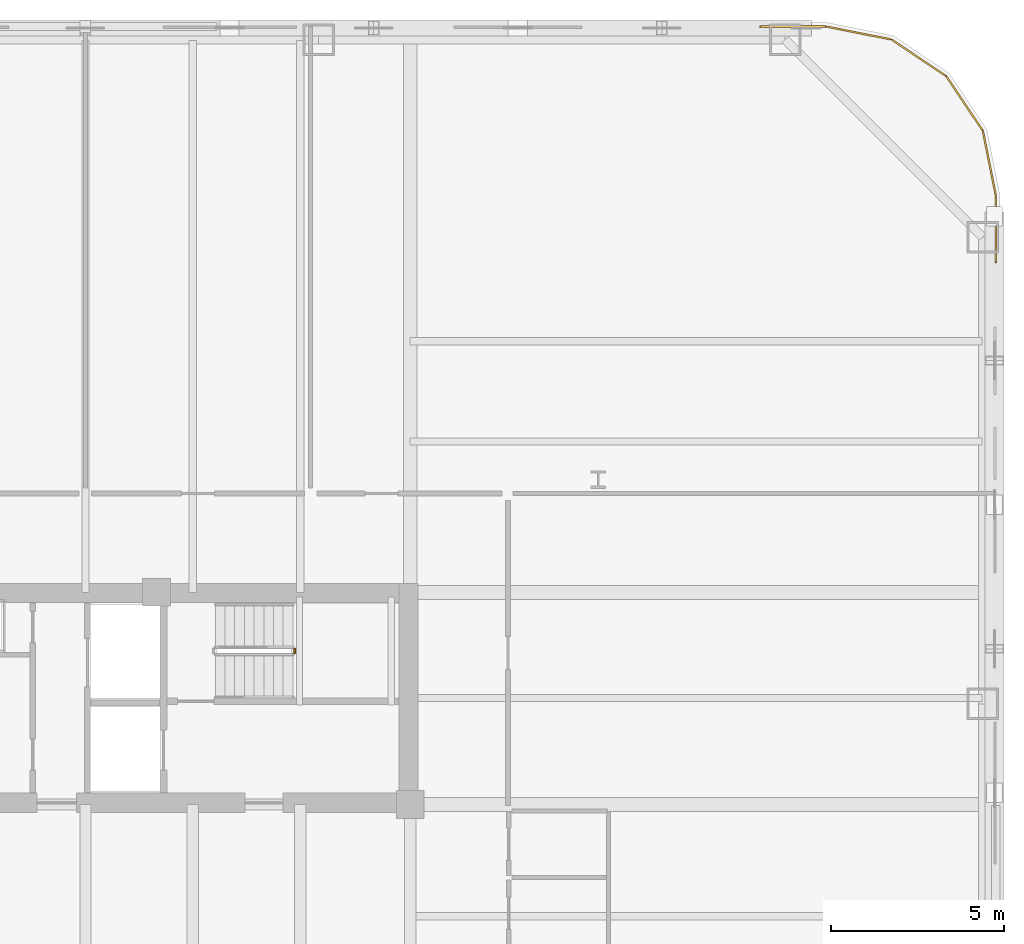
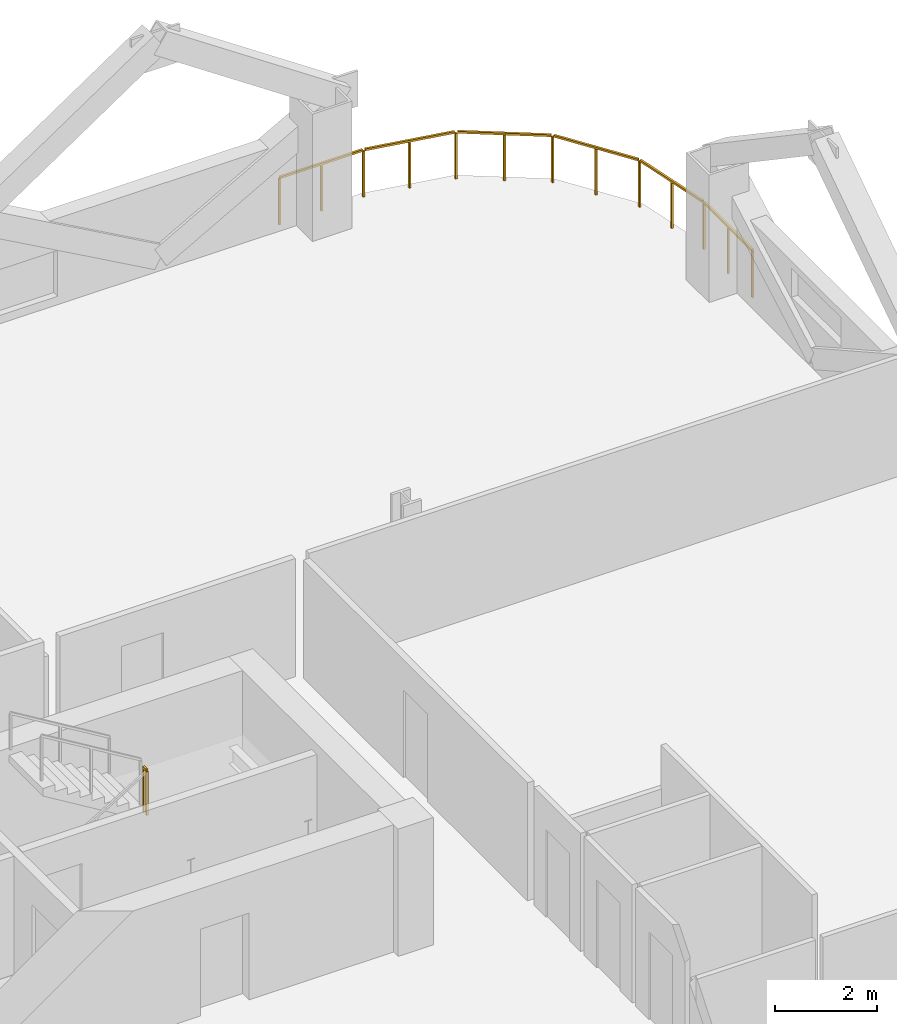
# One storey, part 13 of 13: 2 railings.
"""IFC4 building model written with IfcOpenShell, lengths in metres."""

from ifc_helpers import new_model, si_unit, direction, frame, origin, origin_2d, place, context, subcontext, project, spatial, rectangle, extrude, material, type_object, element, save


model = new_model("IFC4")

# Units and contexts
model_context = context("Model", 3, precision=1e-05, world=origin(), true_north=direction((0.0, 1.0)))
body_context = subcontext(model_context, "Body", "Model", "MODEL_VIEW")
ifc_project = project(units=[si_unit("LENGTHUNIT", "METRE"), si_unit("AREAUNIT", "SQUARE_METRE"), si_unit("VOLUMEUNIT", "CUBIC_METRE"), si_unit("PLANEANGLEUNIT", "RADIAN"), si_unit("MASSUNIT", "GRAM", prefix="KILO")], contexts=[model_context])

# Site, building, storey
site_placement = place(None, origin())
site = spatial("IfcSite", under=ifc_project, at=site_placement, CompositionType="ELEMENT")
building_placement = place(site_placement, origin())
building = spatial("IfcBuilding", under=site, at=building_placement, Name="Qhalaya Broadcast Tower", CompositionType="ELEMENT")
storey_placement = place(building_placement, frame((0.0, 0.0, 44.39990234375)))
storey = spatial("IfcBuildingStorey", under=building, at=storey_placement, Name="L12", CompositionType="ELEMENT", Elevation=44.39990234375)

# Railings
ifc_material = material(Name="Powder-Coated Galvanised Steel", Category="steel")
railing_type_1 = type_object("IfcRailingType", Name="Stair Well & Landing Guardrail 1100", PredefinedType="GUARDRAIL", material=ifc_material)
railing_1_placement = place(storey_placement, frame((6.0400390625, 8.199951171875, 1.525146484375)))
element("IfcRailing", 1, at=railing_1_placement, inside=storey, type_object=railing_type_1, Name="L12 ST-1 Stair Guard 2", PredefinedType="GUARDRAIL", context=body_context, shape_type="SweptSolid", body=[
    extrude(rectangle(XDim=0.048095703125, YDim=0.048095703125, at=origin_2d()), frame((0.0, 0.0, 1.076171875), z_axis=(0.0, 1.0, 0.0), x_axis=(-1.0, 0.0, 0.0)), (0.0, 0.0, 1.0), 0.1201171875),
    extrude(rectangle(XDim=0.0419921875, YDim=0.0419921875, at=origin_2d()), origin(), (0.0, 0.0, 1.0), 1.050048828125),
    extrude(rectangle(XDim=0.0419921875, YDim=0.0419921875, at=origin_2d()), frame((0.0, 0.1201171875, 0.0)), (0.0, 0.0, 1.0), 1.050048828125),
])
railing_type_2 = type_object("IfcRailingType", Name="Terrace, Sky-Pool & Lookout Glass Balustrade 1150", PredefinedType="BALUSTRADE", material=ifc_material)
railing_2_placement = place(storey_placement, frame((19.48193359375, 26.280029296875, 0.0)))
element("IfcRailing", 2, at=railing_2_placement, inside=storey, type_object=railing_type_2, Name="L12 Rounded Corner Perimeter Guard 04", PredefinedType="BALUSTRADE", context=body_context, shape_type="SweptSolid", body=[
    extrude(rectangle(XDim=0.048095703125, YDim=0.048095703125, at=origin_2d()), frame((0.0, 0.0, 1.1259765625), z_axis=(1.0, 0.0, 0.0), x_axis=(0.0, 1.0, 0.0)), (0.0, 0.0, 1.0), 1.87744140625),
    extrude(rectangle(XDim=0.048095703125, YDim=0.048095703125, at=origin_2d()), frame((1.9345703125, -0.005615234375, 1.1259765625), z_axis=(0.980795810058, -0.195037378397, 0.0), x_axis=(0.195037378397, 0.980795810058, 0.0)), (0.0, 0.0, 1.0), 1.857421875),
    extrude(rectangle(XDim=0.048095703125, YDim=0.048095703125, at=origin_2d()), frame((3.80859375, -0.3896484375, 1.1259765625), z_axis=(0.831477548332, -0.555558355728, 0.0), x_axis=(0.555558355728, 0.831477548332, 0.0)), (0.0, 0.0, 1.0), 1.845458984375),
    extrude(rectangle(XDim=0.048095703125, YDim=0.048095703125, at=origin_2d()), frame((5.38330078125, -1.454833984375, 1.1259765625), z_axis=(0.555558355728, -0.831477548332, 0.0), x_axis=(0.831477548332, 0.555558355728, 0.0)), (0.0, 0.0, 1.0), 1.845458984375),
    extrude(rectangle(XDim=0.048095703125, YDim=0.048095703125, at=origin_2d()), frame((6.43017578125, -3.041748046875, 1.1259765625), z_axis=(0.195037378397, -0.980795810058, 0.0), x_axis=(0.980795810058, 0.195037378397, 0.0)), (0.0, 0.0, 1.0), 1.857421875),
    extrude(rectangle(XDim=0.048095703125, YDim=0.048095703125, at=origin_2d()), frame((6.798095703125, -4.920654296875, 1.1259765625), z_axis=(0.0, -1.0, 0.0), x_axis=(1.0, 0.0, 0.0)), (0.0, 0.0, 1.0), 1.87744140625),
    extrude(rectangle(XDim=0.0419921875, YDim=0.0419921875, at=origin_2d()), origin(), (0.0, 0.0, 1.0), 1.099853515625),
    extrude(rectangle(XDim=0.0419921875, YDim=0.0419921875, at=origin_2d()), frame((0.953125, 0.0, 0.0)), (0.0, 0.0, 1.0), 1.099853515625),
    extrude(rectangle(XDim=0.0419921875, YDim=0.0419921875, at=origin_2d()), frame((1.90625, 0.0, 0.0)), (0.0, 0.0, 1.0), 1.099853515625),
    extrude(rectangle(XDim=0.0419921875, YDim=0.0419921875, at=origin_2d()), frame((2.845458984375, -0.186767578125, 0.0)), (0.0, 0.0, 1.0), 1.099853515625),
    extrude(rectangle(XDim=0.0419921875, YDim=0.0419921875, at=origin_2d()), frame((3.78466796875, -0.37353515625, 0.0)), (0.0, 0.0, 1.0), 1.099853515625),
    extrude(rectangle(XDim=0.0419921875, YDim=0.0419921875, at=origin_2d()), frame((4.575927734375, -0.90234375, 0.0)), (0.0, 0.0, 1.0), 1.099853515625),
    extrude(rectangle(XDim=0.0419921875, YDim=0.0419921875, at=origin_2d()), frame((5.3671875, -1.430908203125, 0.0)), (0.0, 0.0, 1.0), 1.099853515625),
    extrude(rectangle(XDim=0.0419921875, YDim=0.0419921875, at=origin_2d()), frame((5.89599609375, -2.22216796875, 0.0)), (0.0, 0.0, 1.0), 1.099853515625),
    extrude(rectangle(XDim=0.0419921875, YDim=0.0419921875, at=origin_2d()), frame((6.424560546875, -3.013427734375, 0.0)), (0.0, 0.0, 1.0), 1.099853515625),
    extrude(rectangle(XDim=0.0419921875, YDim=0.0419921875, at=origin_2d()), frame((6.611328125, -3.95263671875, 0.0)), (0.0, 0.0, 1.0), 1.099853515625),
    extrude(rectangle(XDim=0.0419921875, YDim=0.0419921875, at=origin_2d()), frame((6.798095703125, -4.891845703125, 0.0)), (0.0, 0.0, 1.0), 1.099853515625),
    extrude(rectangle(XDim=0.0419921875, YDim=0.0419921875, at=origin_2d()), frame((6.798095703125, -5.844970703125, 0.0)), (0.0, 0.0, 1.0), 1.099853515625),
    extrude(rectangle(XDim=0.0419921875, YDim=0.0419921875, at=origin_2d()), frame((6.798095703125, -6.798095703125, 0.0)), (0.0, 0.0, 1.0), 1.099853515625),
])

save(model, "model.ifc")
